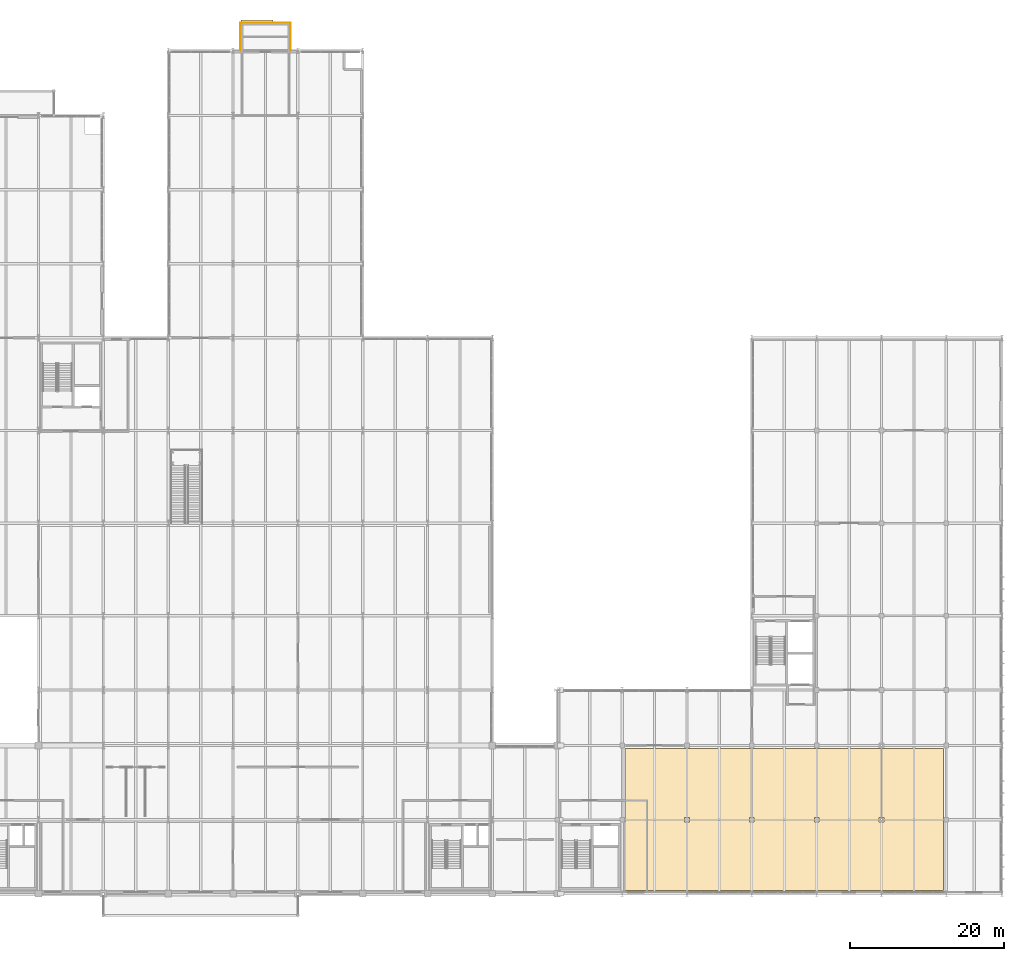
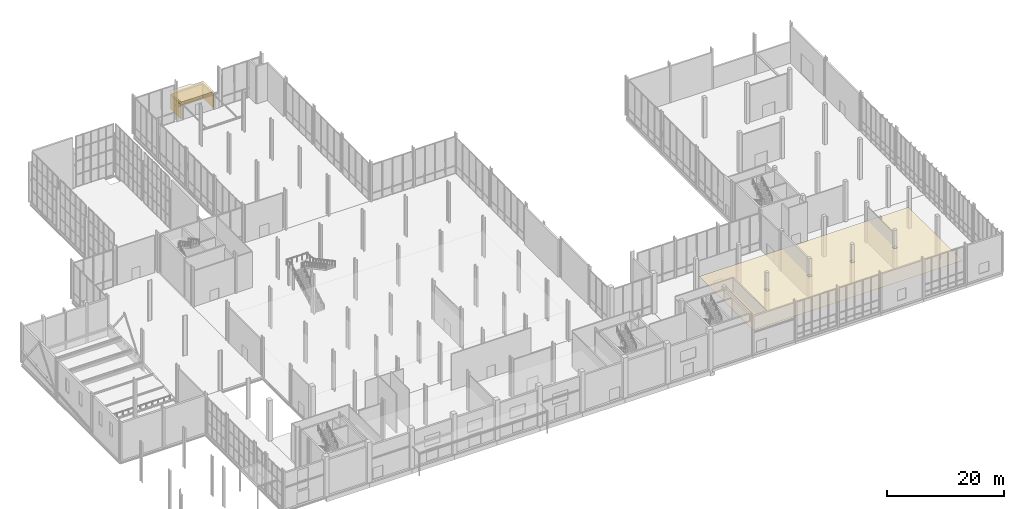
# One storey, part 129 of 131: 5 coverings.
"""IFC4 building model written with IfcOpenShell, lengths in metres."""

import ifcopenshell
import ifcopenshell.guid

model = None  # the IFC model being written
_history = None  # IfcOwnerHistory: only IFC2X3 demands one
_inside = {}  # id of a spatial element -> (the spatial element, [elements in it])
_under = {}  # id of a project, library or spatial element -> (it, [spatial elements below it])
_declared = {}  # id of a project -> (the project, [libraries it declares])
_typed = {}  # id of a type object -> (the type object, [elements of that type])
_made_of = {}  # id of a material, layer set ... -> (it, [elements and type objects made of it])


def new_model(schema):
    """Start an empty IFC model of exactly this schema.

    Asked for "IFC4X3", IfcOpenShell would pick the latest addendum, in which some entities
    have other attributes; the version numbers below select the first issue.
    IFC2X3 requires an IfcOwnerHistory on every rooted entity: one is made here for all.
    """
    global model, _history
    if schema == "IFC4X3":
        model = ifcopenshell.file(schema_version=(4, 3, 0, 0))
    else:
        model = ifcopenshell.file(schema=schema)
    _inside.clear()
    _under.clear()
    _declared.clear()
    _typed.clear()
    _made_of.clear()
    _history = None
    if model.schema == "IFC2X3":
        org = make("IfcOrganization", Name="unknown")
        user = make(
            "IfcPersonAndOrganization",
            ThePerson=make("IfcPerson", FamilyName="unknown"),
            TheOrganization=org,
        )
        app = make(
            "IfcApplication",
            ApplicationDeveloper=org,
            Version="unknown",
            ApplicationFullName="unknown",
            ApplicationIdentifier="unknown",
        )
        _history = make(
            "IfcOwnerHistory",
            OwningUser=user,
            OwningApplication=app,
            ChangeAction="ADDED",
            CreationDate=0,
        )
    return model


def make(cls, **values):
    """One entity of the class cls with the attributes given. An attribute that is None is left unset."""
    return model.create_entity(
        cls, **{name: value for name, value in values.items() if value is not None}
    )


def rooted(cls, **values):
    """An entity with a GlobalId (a new one), such as an element, a storey or a relation."""
    return make(cls, GlobalId=ifcopenshell.guid.new(), OwnerHistory=_history, **values)


def si_unit(unit_type, name, prefix=None):
    """IfcSIUnit, for example si_unit("LENGTHUNIT", "METRE", prefix="MILLI")."""
    return make("IfcSIUnit", UnitType=unit_type, Prefix=prefix, Name=name)


def assignment(units):
    """IfcUnitAssignment: the units of a project."""
    return None if units is None else make("IfcUnitAssignment", Units=units)


def point(xyz):
    """IfcCartesianPoint."""
    return None if xyz is None else make("IfcCartesianPoint", Coordinates=xyz)


def direction(xyz):
    """IfcDirection."""
    return None if xyz is None else make("IfcDirection", DirectionRatios=xyz)


def frame(location, z_axis=None, x_axis=None):
    """IfcAxis2Placement3D, a coordinate frame: its origin and axes. An axis left out is left unset."""
    return make(
        "IfcAxis2Placement3D",
        Location=point(location),
        Axis=direction(z_axis),
        RefDirection=direction(x_axis),
    )


def frame_2d(location, x_axis=None):
    """IfcAxis2Placement2D, a coordinate frame in the plane: its origin and x axis."""
    return make(
        "IfcAxis2Placement2D", Location=point(location), RefDirection=direction(x_axis)
    )


def origin():
    """The frame at (0, 0, 0) with its axes left unset."""
    return frame((0.0, 0.0, 0.0))


def place(relative_to, where):
    """IfcLocalPlacement: puts the frame where relative to a parent placement (None: the world)."""
    return make(
        "IfcLocalPlacement", PlacementRelTo=relative_to, RelativePlacement=where
    )


def context(
    kind, dimensions, precision=None, world=None, true_north=None, identifier=None
):
    """IfcGeometricRepresentationContext, for example the 3D "Model" context."""
    return make(
        "IfcGeometricRepresentationContext",
        ContextIdentifier=identifier,
        ContextType=kind,
        CoordinateSpaceDimension=dimensions,
        Precision=precision,
        WorldCoordinateSystem=world,
        TrueNorth=true_north,
    )


def subcontext(parent, identifier, kind, view, scale=None):
    """IfcGeometricRepresentationSubContext, for example "Body" below "Model"."""
    return make(
        "IfcGeometricRepresentationSubContext",
        ContextIdentifier=identifier,
        ContextType=kind,
        ParentContext=parent,
        TargetScale=scale,
        TargetView=view,
    )


def project(units=None, contexts=None):
    """IfcProject with its units and contexts."""
    return rooted(
        "IfcProject",
        Name="project",
        RepresentationContexts=contexts,
        UnitsInContext=assignment(units),
    )


def spatial(cls, under=None, at=None, **own):
    """A site, building, storey or space (cls), placed at a placement, below another one or the project."""
    s = rooted(cls, ObjectPlacement=at, **own)
    if under is not None:
        _under.setdefault(under.id(), (under, []))[1].append(s)
    return s


def polyline(points):
    """IfcPolyline through the points."""
    return make("IfcPolyline", Points=[point(p) for p in points])


def profile(cls, at=None, kind="AREA", **sizes):
    """A parametric profile (cls). Its sizes go by their IFC names, for example OverallWidth=200.0."""
    return make(cls, ProfileType=kind, Position=at, **sizes)


def rectangle(**sizes):
    """IfcRectangleProfileDef."""
    return profile("IfcRectangleProfileDef", **sizes)


def outline(outer, holes=None, kind="AREA"):
    """IfcArbitraryClosedProfileDef: a profile drawn as a closed curve; with holes, ...WithVoids."""
    if holes is None:
        return make("IfcArbitraryClosedProfileDef", ProfileType=kind, OuterCurve=outer)
    return make(
        "IfcArbitraryProfileDefWithVoids",
        ProfileType=kind,
        OuterCurve=outer,
        InnerCurves=holes,
    )


def extrude(swept, where, along, depth):
    """IfcExtrudedAreaSolid: the profile swept, set in the frame where, extruded along a direction by depth."""
    return make(
        "IfcExtrudedAreaSolid",
        SweptArea=swept,
        Position=where,
        ExtrudedDirection=direction(along),
        Depth=depth,
    )


def shape(context_of_items, identifier, shape_type, items):
    """IfcShapeRepresentation: the items that make up one representation, for example the "Body"."""
    return make(
        "IfcShapeRepresentation",
        ContextOfItems=context_of_items,
        RepresentationIdentifier=identifier,
        RepresentationType=shape_type,
        Items=items,
    )


def material(Name=None, Category=None):
    """IfcMaterial."""
    return make("IfcMaterial", Name=Name, Category=Category)


def layer(
    of_material, thickness, ventilated=None, Name=None, Category=None, Priority=None
):
    """IfcMaterialLayer: one layer of a wall or slab, of a material (None: an air gap)."""
    return make(
        "IfcMaterialLayer",
        Material=of_material,
        LayerThickness=thickness,
        IsVentilated=ventilated,
        Name=Name,
        Category=Category,
        Priority=Priority,
    )


def layer_set(layers, Name=None):
    """IfcMaterialLayerSet."""
    return make("IfcMaterialLayerSet", MaterialLayers=layers, LayerSetName=Name)


def made_of(thing, what):
    """Note that an element or type object is made of a material, layer set ...; save() writes the relation."""
    if what is not None:
        _made_of.setdefault(what.id(), (what, []))[1].append(thing)
    return thing


def type_object(cls, material=None, **own):
    """A type object (cls), such as IfcWallType, which elements share."""
    return made_of(rooted(cls, **own), material)


def element(
    cls,
    number,
    at=None,
    inside=None,
    cuts=None,
    type_object=None,
    material=None,
    context=None,
    identifier="Body",
    shape_type=None,
    held_by="IfcProductDefinitionShape",
    body=None,
    shapes=None,
    **own,
):
    """One element of the class cls, such as IfcWall. Its Tag is "e" and its number.

    at: its placement. inside: the storey or other place that contains it. cuts: it is an
    opening in that element (IfcRelVoidsElement). A single representation is given by context,
    identifier, shape_type and body (its items); several are given by shapes. held_by: the class
    of the entity that holds the representations. save() writes the other relations.
    """
    e = rooted(cls, Tag="e%d" % number, ObjectPlacement=at, **own)
    if body is not None:
        shapes = [shape(context, identifier, shape_type, body)]
    if shapes is not None:
        e.Representation = make(held_by, Representations=shapes)
    if inside is not None:
        _inside.setdefault(inside.id(), (inside, []))[1].append(e)
    if cuts is not None:
        rooted(
            "IfcRelVoidsElement", RelatingBuildingElement=cuts, RelatedOpeningElement=e
        )
    if type_object is not None:
        _typed.setdefault(type_object.id(), (type_object, []))[1].append(e)
    return made_of(e, material)


def aggregate(whole, parts):
    """IfcRelAggregates: a whole, such as a stair, and the parts it consists of."""
    return rooted("IfcRelAggregates", RelatingObject=whole, RelatedObjects=parts)


def save(model, path):
    """Write the relations noted so far, then the file.

    IfcRelAggregates (storeys below a building ...), IfcRelContainedInSpatialStructure (elements
    in a storey), IfcRelDefinesByType, IfcRelAssociatesMaterial and IfcRelDeclares: one each for
    every whole, place, type object, material and project.
    """
    for whole, parts in _under.values():
        aggregate(whole, parts)
    for where, things in _inside.values():
        rooted(
            "IfcRelContainedInSpatialStructure",
            RelatedElements=things,
            RelatingStructure=where,
        )
    for kind, things in _typed.values():
        rooted("IfcRelDefinesByType", RelatedObjects=things, RelatingType=kind)
    for what, things in _made_of.values():
        rooted("IfcRelAssociatesMaterial", RelatedObjects=things, RelatingMaterial=what)
    for by, libraries in _declared.values():
        rooted("IfcRelDeclares", RelatingContext=by, RelatedDefinitions=libraries)
    model.write(path)


model = new_model("IFC4")

# Units and contexts
model_context = context("Model", 3, precision=1e-05, world=origin(), true_north=direction((0.0, 1.0)))
body_context = subcontext(model_context, "Body", "Model", "MODEL_VIEW")
ifc_project = project(units=[si_unit("LENGTHUNIT", "METRE"), si_unit("AREAUNIT", "SQUARE_METRE"), si_unit("VOLUMEUNIT", "CUBIC_METRE"), si_unit("PLANEANGLEUNIT", "RADIAN"), si_unit("MASSUNIT", "GRAM", prefix="KILO")], contexts=[model_context])

# Site, building, storey
site_placement = place(None, origin())
site = spatial("IfcSite", under=ifc_project, at=site_placement, CompositionType="ELEMENT")
building_placement = place(site_placement, origin())
building = spatial("IfcBuilding", under=site, at=building_placement, Name="Veltarok Museum of Natural Sciences", CompositionType="ELEMENT")
storey_placement = place(building_placement, origin())
storey = spatial("IfcBuildingStorey", under=building, at=storey_placement, Name="L00", CompositionType="ELEMENT", Elevation=0.0)

# Coverings
ifc_material_1 = material(Name="Corrugated zinc cladding")
ifc_layer_1 = layer(ifc_material_1, 0.044921875)
ifc_layer_set_1 = layer_set([ifc_layer_1], Name="Corrugated zinc cladding")
covering_type_1 = type_object("IfcCoveringType", Name="Corrugated Titanium-Zinc Rainscreen Cladding 45", PredefinedType="CLADDING", material=ifc_layer_set_1)
covering_1_placement = place(storey_placement, frame((72.60009765625, 112.822021484375, 0.0), z_axis=(0.0, 0.0, 1.0), x_axis=(-1.0, 0.0, 0.0)))
element("IfcCovering", 1, at=covering_1_placement, inside=storey, type_object=covering_type_1, Name="Corrugated Zinc Cladding DB-34-N", PredefinedType="CLADDING", context=body_context, shape_type="SweptSolid", body=[
    extrude(rectangle(XDim=6.400146484375, YDim=0.044921875, at=frame_2d((3.2001953125, 0.0))), origin(), (0.0, 0.0, 1.0), 2.989990234375),
])
for number, where, z_axis, x_axis, name in (
    (2, (66.177978515625, 112.800048828125, 0.0), (0.0, 0.0, 1.0), (0.0, -1.0, 0.0), "Corrugated Zinc Cladding DB-34-W"),
    (3, (72.6220703125, 109.199951171875, 0.0), (0.0, 0.0, 1.0), (0.0, 1.0, 0.0), "Corrugated Zinc Cladding DB-34-E"),
):
    element("IfcCovering", number, at=place(storey_placement, frame(where, z_axis=z_axis, x_axis=x_axis)), inside=storey, type_object=covering_type_1, Name=name, PredefinedType="CLADDING", context=body_context, shape_type="SweptSolid", body=[
        extrude(rectangle(XDim=3.60009765625, YDim=0.044921875, at=frame_2d((1.800048828125, 0.0))), origin(), (0.0, 0.0, 1.0), 2.989990234375),
    ])
ifc_material_2 = material(Name="EPDM waterproofing membrane")
ifc_layer_2 = layer(ifc_material_2, 0.06005859375)
ifc_layer_set_2 = layer_set([ifc_layer_2], Name="EPDM waterproofing membrane")
covering_type_2 = type_object("IfcCoveringType", Name="EPDM Waterproofing and Acoustic Roof Membrane 60", PredefinedType="ROOFING", material=ifc_layer_set_2)
covering_2_placement = place(storey_placement, frame((0.0, 0.0, 3.449951171875)))
element("IfcCovering", 4, at=covering_2_placement, inside=storey, type_object=covering_type_2, Name="Cabinet Box Roof Membrane DB-34", PredefinedType="ROOFING", context=body_context, shape_type="SweptSolid", body=[
    extrude(outline(polyline([(66.199951171875, 109.199951171875), (72.60009765625, 109.199951171875), (72.60009765625, 112.800048828125), (70.360107421875, 112.800048828125), (70.360107421875, 113.179931640625), (66.199951171875, 113.179931640625), (66.199951171875, 109.199951171875)])), origin(), (0.0, 0.0, 1.0), 0.06005859375),
])
ifc_material_3 = material(Name="Acoustic gypsum and mineral wool")
ifc_layer_3 = layer(ifc_material_3, 0.044921875)
ifc_layer_set_3 = layer_set([ifc_layer_3], Name="Acoustic gypsum and mineral wool")
covering_type_3 = type_object("IfcCoveringType", Name="Perforated Acoustic Museum Ceiling Baffle System 45", PredefinedType="CEILING", material=ifc_layer_set_3)
covering_3_placement = place(storey_placement, frame((0.0, 0.0, 4.60009765625)))
element("IfcCovering", 5, at=covering_3_placement, inside=storey, type_object=covering_type_3, Name="Acoustic Gallery Ceiling L00-03", PredefinedType="CEILING", context=body_context, shape_type="SweptSolid", body=[
    extrude(outline(polyline([(116.0, 0.39990234375), (116.0, 18.800048828125), (157.199951171875, 18.800048828125), (157.199951171875, 0.39990234375), (116.0, 0.39990234375)]), holes=[polyline([(132.092041015625, 9.907958984375), (132.092041015625, 9.2919921875), (132.7080078125, 9.2919921875), (132.7080078125, 9.907958984375), (132.092041015625, 9.907958984375)]), polyline([(124.30810546875, 9.907958984375), (123.69189453125, 9.907958984375), (123.69189453125, 9.2919921875), (124.30810546875, 9.2919921875), (124.30810546875, 9.907958984375)]), polyline([(149.508056640625, 9.907958984375), (148.89208984375, 9.907958984375), (148.89208984375, 9.2919921875), (149.508056640625, 9.2919921875), (149.508056640625, 9.907958984375)]), polyline([(141.10791015625, 9.907958984375), (140.491943359375, 9.907958984375), (140.491943359375, 9.2919921875), (141.10791015625, 9.2919921875), (141.10791015625, 9.907958984375)])]), origin(), (0.0, 0.0, 1.0), 0.044921875),
])

save(model, "model.ifc")
